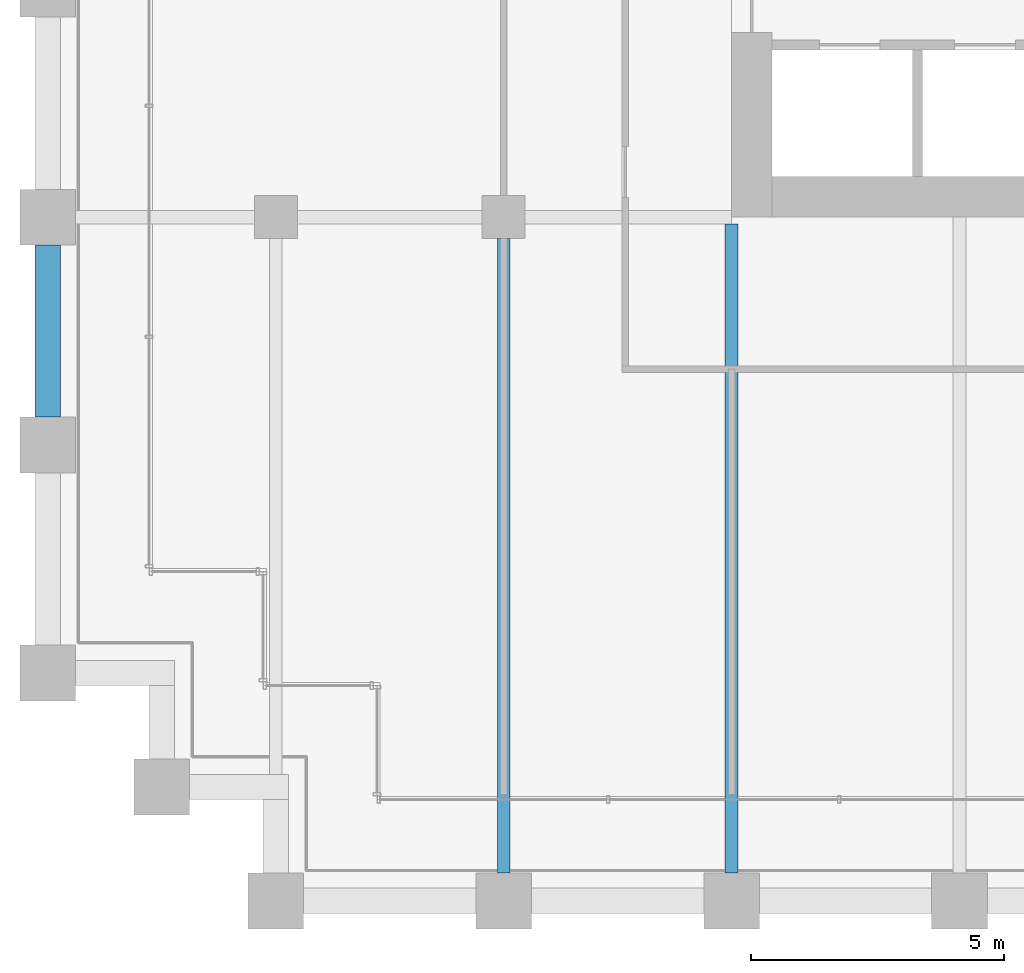
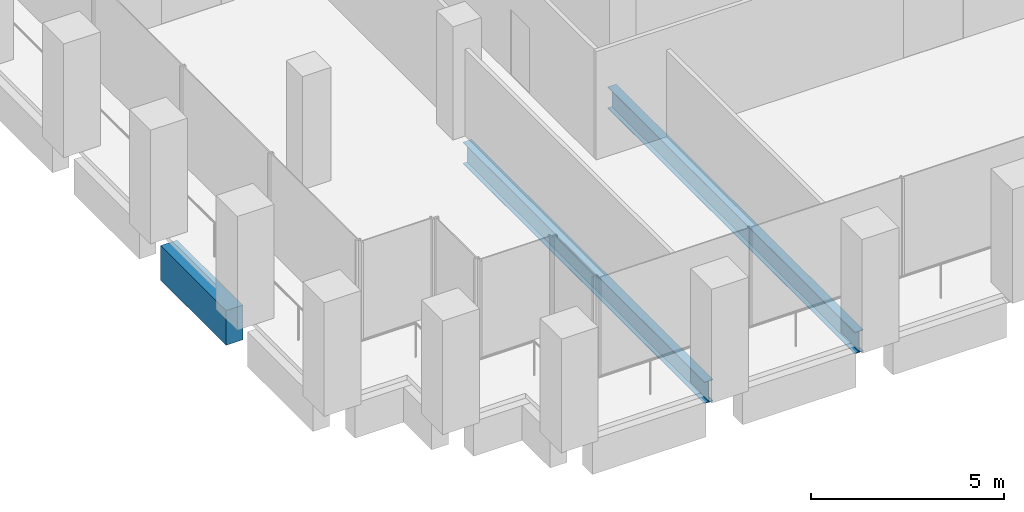
# One storey, part 4 of 54: 3 beams.
"""IFC4 building model written with IfcOpenShell, lengths in metres."""

from ifc_helpers import new_model, si_unit, direction, frame, origin, origin_2d, place, context, subcontext, project, spatial, rectangle, i_section, extrude, material, material_profile, profile_set, type_object, element, save


model = new_model("IFC4")

# Units and contexts
model_context = context("Model", 3, precision=1e-05, world=origin(), true_north=direction((0.0, 1.0)))
body_context = subcontext(model_context, "Body", "Model", "MODEL_VIEW")
ifc_project = project(units=[si_unit("LENGTHUNIT", "METRE"), si_unit("AREAUNIT", "SQUARE_METRE"), si_unit("VOLUMEUNIT", "CUBIC_METRE"), si_unit("PLANEANGLEUNIT", "RADIAN"), si_unit("MASSUNIT", "GRAM", prefix="KILO")], contexts=[model_context])

# Site, building, storey
site_placement = place(None, origin())
site = spatial("IfcSite", under=ifc_project, at=site_placement, CompositionType="ELEMENT")
building_placement = place(site_placement, origin())
building = spatial("IfcBuilding", under=site, at=building_placement, Name="Altepetl Exchange Towers", CompositionType="ELEMENT")
storey_placement = place(building_placement, frame((0.0, 0.0, 61.800048828125)))
storey = spatial("IfcBuildingStorey", under=building, at=storey_placement, Name="L14", CompositionType="ELEMENT", Elevation=61.800048828125)

# Beams
ifc_material_1 = material(Name="Steel S355", Category="steel")
ifc_material_profile_1 = material_profile(ifc_material_1, i_section(OverallWidth=0.25390625, OverallDepth=0.68408203125, WebThickness=0.012451171875, FlangeThickness=0.018798828125, at=origin_2d()), Name="W27X94")
ifc_profile_set_1 = profile_set([ifc_material_profile_1], Name="Steel S355")
beam_type_1 = type_object("IfcBeamType", Name="Floor beam W27X94", PredefinedType="BEAM", material=ifc_profile_set_1)
beam_1_placement = place(storey_placement, frame((36.0, 27.550048828125, -0.491943359375), z_axis=(0.0, 1.0, 0.0), x_axis=(-1.0, 0.0, 0.0)))
element("IfcBeam", 1, at=beam_1_placement, inside=storey, type_object=beam_type_1, Name="bm:A:L14:013", PredefinedType="BEAM", context=body_context, shape_type="SweptSolid", body=[
    extrude(i_section(OverallWidth=0.25390625, OverallDepth=0.68408203125, WebThickness=0.012451171875, FlangeThickness=0.018798828125, at=origin_2d()), origin(), (0.0, 0.0, 1.0), 12.52490234375),
])
beam_2_placement = place(storey_placement, frame((40.5, 27.550048828125, -0.491943359375), z_axis=(0.0, 1.0, 0.0), x_axis=(-1.0, 0.0, 0.0)))
element("IfcBeam", 2, at=beam_2_placement, inside=storey, type_object=beam_type_1, Name="bm:A:L14:014", PredefinedType="BEAM", context=body_context, shape_type="SweptSolid", body=[
    extrude(i_section(OverallWidth=0.25390625, OverallDepth=0.68408203125, WebThickness=0.012451171875, FlangeThickness=0.018798828125, at=origin_2d()), origin(), (0.0, 0.0, 1.0), 12.81591796875),
])
ifc_material_2 = material(Name="Concrete C50/60 precast with cantera blanca facing", Category="concrete")
ifc_material_profile_2 = material_profile(ifc_material_2, rectangle(XDim=0.5, YDim=1.10009765625, at=origin_2d()), Name="500 x 1100")
ifc_profile_set_2 = profile_set([ifc_material_profile_2], Name="Concrete C50/60 precast with cantera blanca facing")
beam_type_2 = type_object("IfcBeamType", Name="Spandrel beam 500x1100 cantera blanca", PredefinedType="SPANDREL", material=ifc_profile_set_2)
beam_3_placement = place(storey_placement, frame((27.0, 39.949951171875, -0.699951171875), z_axis=(0.0, -1.0, 0.0), x_axis=(1.0, 0.0, 0.0)))
element("IfcBeam", 3, at=beam_3_placement, inside=storey, type_object=beam_type_2, Name="sp:A:L14:042", PredefinedType="SPANDREL", context=body_context, shape_type="SweptSolid", body=[
    extrude(rectangle(XDim=0.5, YDim=1.10009765625, at=origin_2d()), origin(), (0.0, 0.0, 1.0), 3.39990234375),
])

save(model, "model.ifc")
